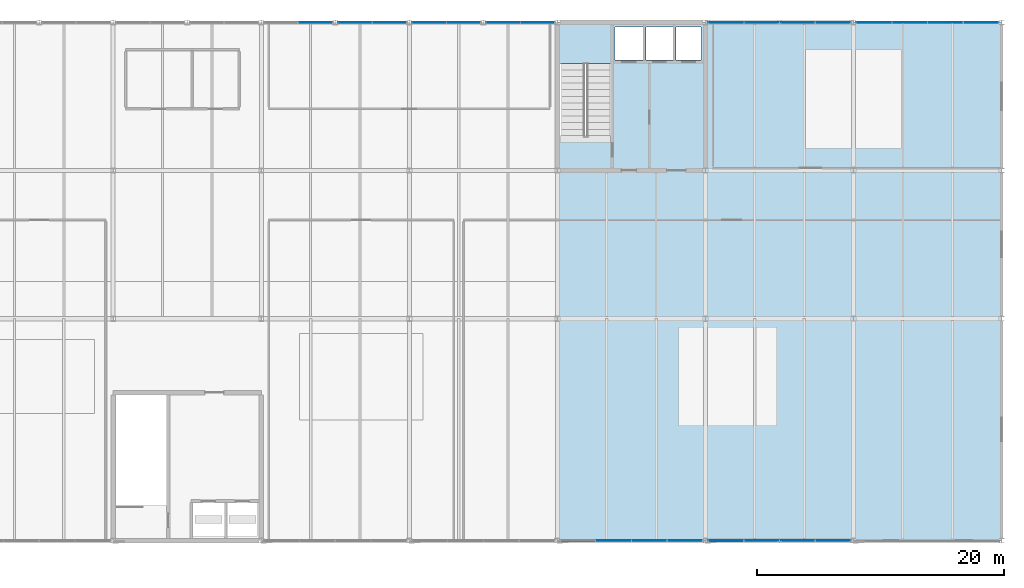
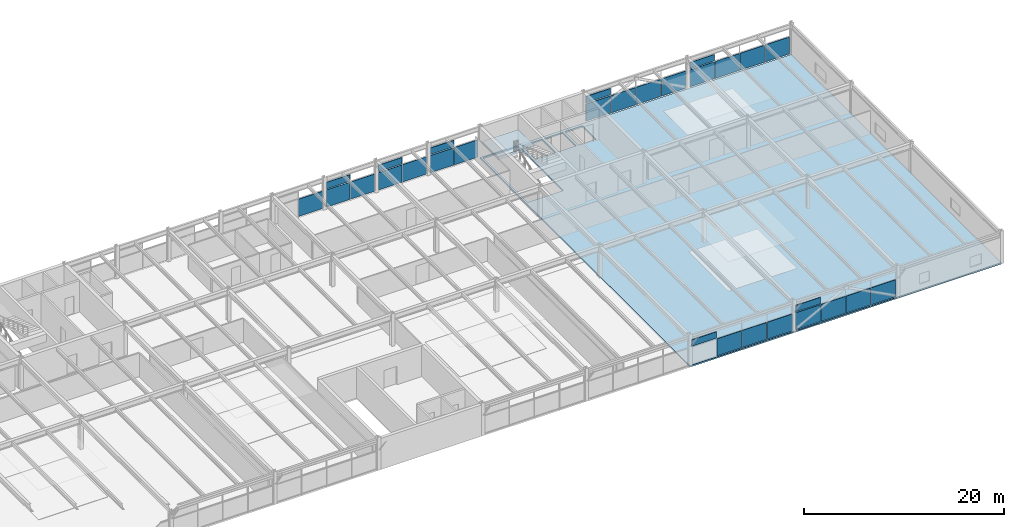
# One storey, part 44 of 52: 29 plates, 2 slabs, 9 elements without a shape of their own.
"""IFC4 building model written with IfcOpenShell, lengths in metres."""

from ifc_helpers import new_model, si_unit, direction, frame, origin, origin_2d, place, context, subcontext, project, spatial, polyline, rectangle, outline, extrude, material, layer, layer_set, type_object, element, aggregate, save


model = new_model("IFC4")

# Units and contexts
model_context = context("Model", 3, precision=1e-05, world=origin(), true_north=direction((0.0, 1.0)))
body_context = subcontext(model_context, "Body", "Model", "MODEL_VIEW")
ifc_project = project(units=[si_unit("LENGTHUNIT", "METRE"), si_unit("AREAUNIT", "SQUARE_METRE"), si_unit("VOLUMEUNIT", "CUBIC_METRE"), si_unit("PLANEANGLEUNIT", "RADIAN"), si_unit("MASSUNIT", "GRAM", prefix="KILO")], contexts=[model_context])

# Site, building, storey
site_placement = place(None, origin())
site = spatial("IfcSite", under=ifc_project, at=site_placement, CompositionType="ELEMENT")
building_placement = place(site_placement, origin())
building = spatial("IfcBuilding", under=site, at=building_placement, Name="Girod Span Mobility Hub", CompositionType="ELEMENT")
storey_placement = place(building_placement, frame((0.0, 0.0, 45.60009765625)))
storey = spatial("IfcBuildingStorey", under=building, at=storey_placement, Name="L11", CompositionType="ELEMENT", Elevation=45.60009765625)

# Curtain wall, plate
ifc_material_1 = material(Name="Thermally Broken Anodised Aluminium", Category="aluminium")
curtain_wall_type_1 = type_object("IfcCurtainWallType", Name="CW-561X330", PredefinedType="USERDEFINED", material=ifc_material_1)
curtain_wall_1_placement = place(storey_placement, origin())
curtain_wall_1 = element("IfcCurtainWall", 1, at=curtain_wall_1_placement, inside=storey, type_object=curtain_wall_type_1, Name="Unitised Curtain Wall CW-L11-N08E L11", ObjectType="UNITISED CURTAIN WALL", PredefinedType="USERDEFINED")
ifc_material_2 = material(Name="Double Low-E Insulated Glazing", Category="glass")
ifc_layer_1 = layer(ifc_material_2, 0.05810546875)
ifc_layer_set_1 = layer_set([ifc_layer_1], Name="Double Low-E Insulated Glazing")
plate_type_1 = type_object("IfcPlateType", Name="PLT-SPN-2734X843X58", PredefinedType="CURTAIN_PANEL", material=ifc_layer_set_1)
plate_1_placement = place(storey_placement, frame((91.596923828125, 69.0, 2.373046875), z_axis=(0.0, 0.0, 1.0), x_axis=(1.0, 0.0, 0.0)))
plate_1 = element("IfcPlate", 2, at=plate_1_placement, type_object=plate_type_1, Name="Spandrel Glazing Panel CW-L11-N08E-S1", PredefinedType="CURTAIN_PANEL", context=body_context, shape_type="SweptSolid", body=[
    extrude(rectangle(XDim=2.73974609375, YDim=0.05810546875, at=origin_2d()), origin(), (0.0, 0.0, 1.0), 0.802978515625),
])

curtain_wall_2_placement = place(storey_placement, origin())
curtain_wall_2 = element("IfcCurtainWall", 3, at=curtain_wall_2_placement, inside=storey, type_object=curtain_wall_type_1, Name="Unitised Curtain Wall CW-L11-N09W L11", ObjectType="UNITISED CURTAIN WALL", PredefinedType="USERDEFINED")
plate_2_placement = place(storey_placement, frame((97.599365234375, 69.0, 2.373046875), z_axis=(0.0, 0.0, 1.0), x_axis=(1.0, 0.0, 0.0)))
plate_2 = element("IfcPlate", 4, at=plate_2_placement, type_object=plate_type_1, Name="Spandrel Glazing Panel CW-L11-N09W-S1", PredefinedType="CURTAIN_PANEL", context=body_context, shape_type="SweptSolid", body=[
    extrude(rectangle(XDim=2.73974609375, YDim=0.05810546875, at=origin_2d()), origin(), (0.0, 0.0, 1.0), 0.802978515625),
])

curtain_wall_3_placement = place(storey_placement, origin())
curtain_wall_3 = element("IfcCurtainWall", 5, at=curtain_wall_3_placement, inside=storey, type_object=curtain_wall_type_1, Name="Unitised Curtain Wall CW-L11-N09E L11", ObjectType="UNITISED CURTAIN WALL", PredefinedType="USERDEFINED")
plate_3_placement = place(storey_placement, frame((103.596923828125, 69.0, 2.373046875), z_axis=(0.0, 0.0, 1.0), x_axis=(1.0, 0.0, 0.0)))
plate_3 = element("IfcPlate", 6, at=plate_3_placement, type_object=plate_type_1, Name="Spandrel Glazing Panel CW-L11-N09E-S1", PredefinedType="CURTAIN_PANEL", context=body_context, shape_type="SweptSolid", body=[
    extrude(rectangle(XDim=2.73974609375, YDim=0.05810546875, at=origin_2d()), origin(), (0.0, 0.0, 1.0), 0.802978515625),
])

ifc_material_3 = material(Name="Thermally Broken Anodised Aluminium", Category="aluminium")
curtain_wall_type_2 = type_object("IfcCurtainWallType", Name="CW-1161X330", PredefinedType="USERDEFINED", material=ifc_material_3)
curtain_wall_4_placement = place(storey_placement, origin())
curtain_wall_4 = element("IfcCurtainWall", 7, at=curtain_wall_4_placement, inside=storey, type_object=curtain_wall_type_2, Name="Unitised Curtain Wall CW-L11-N11 L11", ObjectType="UNITISED CURTAIN WALL", PredefinedType="USERDEFINED")
ifc_material_4 = material(Name="Double Low-E Insulated Glazing", Category="glass")
ifc_layer_2 = layer(ifc_material_4, 0.05810546875)
ifc_layer_set_2 = layer_set([ifc_layer_2], Name="Double Low-E Insulated Glazing")
plate_type_2 = type_object("IfcPlateType", Name="PLT-SPN-2832X843X58", PredefinedType="CURTAIN_PANEL", material=ifc_layer_set_2)
plate_4_placement = place(storey_placement, frame((121.6484375, 69.0, 2.373046875), z_axis=(0.0, 0.0, 1.0), x_axis=(1.0, 0.0, 0.0)))
plate_4 = element("IfcPlate", 8, at=plate_4_placement, type_object=plate_type_2, Name="Spandrel Glazing Panel CW-L11-N11-S1", PredefinedType="CURTAIN_PANEL", context=body_context, shape_type="SweptSolid", body=[
    extrude(rectangle(XDim=2.837890625, YDim=0.05810546875, at=origin_2d()), origin(), (0.0, 0.0, 1.0), 0.802978515625),
])

ifc_material_5 = material(Name="Thermally Broken Anodised Aluminium", Category="aluminium")
curtain_wall_type_3 = type_object("IfcCurtainWallType", Name="CW-1161X324", PredefinedType="USERDEFINED", material=ifc_material_5)
curtain_wall_5_placement = place(storey_placement, origin())
curtain_wall_5 = element("IfcCurtainWall", 9, at=curtain_wall_5_placement, inside=storey, type_object=curtain_wall_type_3, Name="Unitised Curtain Wall CW-L11-S10 L11", ObjectType="UNITISED CURTAIN WALL", PredefinedType="USERDEFINED")
ifc_material_6 = material(Name="Double Low-E Insulated Glazing", Category="glass")
ifc_layer_3 = layer(ifc_material_6, 0.05810546875)
ifc_layer_set_3 = layer_set([ifc_layer_3], Name="Double Low-E Insulated Glazing")
plate_type_3 = type_object("IfcPlateType", Name="PLT-SPN-2833X826X58", PredefinedType="CURTAIN_PANEL", material=ifc_layer_set_3)
plate_5_placement = place(storey_placement, frame((109.646240234375, 27.0, 2.329833984375), z_axis=(0.0, 0.0, 1.0), x_axis=(1.0, 0.0, 0.0)))
plate_5 = element("IfcPlate", 10, at=plate_5_placement, type_object=plate_type_3, Name="Spandrel Glazing Panel CW-L11-S10-S1", PredefinedType="CURTAIN_PANEL", context=body_context, shape_type="SweptSolid", body=[
    extrude(rectangle(XDim=2.83837890625, YDim=0.05810546875, at=origin_2d()), origin(), (0.0, 0.0, 1.0), 0.7861328125),
])

curtain_wall_6_placement = place(storey_placement, origin())
curtain_wall_6 = element("IfcCurtainWall", 11, at=curtain_wall_6_placement, inside=storey, type_object=curtain_wall_type_3, Name="Unitised Curtain Wall CW-L11-S11 L11", ObjectType="UNITISED CURTAIN WALL", PredefinedType="USERDEFINED")
plate_6_placement = place(storey_placement, frame((121.646240234375, 27.0, 2.329833984375), z_axis=(0.0, 0.0, 1.0), x_axis=(1.0, 0.0, 0.0)))
plate_6 = element("IfcPlate", 12, at=plate_6_placement, type_object=plate_type_3, Name="Spandrel Glazing Panel CW-L11-S11-S1", PredefinedType="CURTAIN_PANEL", context=body_context, shape_type="SweptSolid", body=[
    extrude(rectangle(XDim=2.83837890625, YDim=0.05810546875, at=origin_2d()), origin(), (0.0, 0.0, 1.0), 0.7861328125),
])

curtain_wall_7_placement = place(storey_placement, origin())
curtain_wall_7 = element("IfcCurtainWall", 13, at=curtain_wall_7_placement, inside=storey, type_object=curtain_wall_type_3, Name="Unitised Curtain Wall CW-L11-N12 L11", ObjectType="UNITISED CURTAIN WALL", PredefinedType="USERDEFINED")
plate_7_placement = place(storey_placement, frame((133.646240234375, 69.0, 2.329833984375), z_axis=(0.0, 0.0, 1.0), x_axis=(1.0, 0.0, 0.0)))
plate_7 = element("IfcPlate", 14, at=plate_7_placement, type_object=plate_type_3, Name="Spandrel Glazing Panel CW-L11-N12-S1", PredefinedType="CURTAIN_PANEL", context=body_context, shape_type="SweptSolid", body=[
    extrude(rectangle(XDim=2.83837890625, YDim=0.05810546875, at=origin_2d()), origin(), (0.0, 0.0, 1.0), 0.7861328125),
])

curtain_wall_8_placement = place(storey_placement, origin())
curtain_wall_8 = element("IfcCurtainWall", 15, at=curtain_wall_8_placement, inside=storey, type_object=curtain_wall_type_1, Name="Unitised Curtain Wall CW-L11-N08W L11", ObjectType="UNITISED CURTAIN WALL", PredefinedType="USERDEFINED")
ifc_material_7 = material(Name="Double Low-E Insulated Glazing", Category="glass")
ifc_layer_4 = layer(ifc_material_7, 0.0458984375)
ifc_layer_set_4 = layer_set([ifc_layer_4], Name="Double Low-E Insulated Glazing")
plate_type_4 = type_object("IfcPlateType", Name="PLT-VIS-2734X2373X46", PredefinedType="CURTAIN_PANEL", material=ifc_layer_set_4)
plate_8_placement = place(storey_placement, frame((88.403076171875, 69.0, 0.14013671875), z_axis=(0.0, 0.0, 1.0), x_axis=(1.0, 0.0, 0.0)))
plate_8 = element("IfcPlate", 16, at=plate_8_placement, type_object=plate_type_4, Name="Vision Glazing Panel CW-L11-N08W-V2", PredefinedType="CURTAIN_PANEL", context=body_context, shape_type="SweptSolid", body=[
    extrude(rectangle(XDim=2.73974609375, YDim=0.0458984375, at=origin_2d()), origin(), (0.0, 0.0, 1.0), 2.113037109375),
])
aggregate(curtain_wall_8, [plate_8])

# Plate
plate_9_placement = place(storey_placement, frame((91.596923828125, 69.0, 0.14013671875), z_axis=(0.0, 0.0, 1.0), x_axis=(1.0, 0.0, 0.0)))
plate_9 = element("IfcPlate", 17, at=plate_9_placement, type_object=plate_type_4, Name="Vision Glazing Panel CW-L11-N08E-V1", PredefinedType="CURTAIN_PANEL", context=body_context, shape_type="SweptSolid", body=[
    extrude(rectangle(XDim=2.73974609375, YDim=0.0458984375, at=origin_2d()), origin(), (0.0, 0.0, 1.0), 2.113037109375),
])

plate_10_placement = place(storey_placement, frame((94.400634765625, 69.0, 0.14013671875), z_axis=(0.0, 0.0, 1.0), x_axis=(1.0, 0.0, 0.0)))
plate_10 = element("IfcPlate", 18, at=plate_10_placement, type_object=plate_type_4, Name="Vision Glazing Panel CW-L11-N08E-V2", PredefinedType="CURTAIN_PANEL", context=body_context, shape_type="SweptSolid", body=[
    extrude(rectangle(XDim=2.73974609375, YDim=0.0458984375, at=origin_2d()), origin(), (0.0, 0.0, 1.0), 2.113037109375),
])

aggregate(curtain_wall_1, [plate_9, plate_1, plate_10])

plate_11_placement = place(storey_placement, frame((97.599365234375, 69.0, 0.14013671875), z_axis=(0.0, 0.0, 1.0), x_axis=(1.0, 0.0, 0.0)))
plate_11 = element("IfcPlate", 19, at=plate_11_placement, type_object=plate_type_4, Name="Vision Glazing Panel CW-L11-N09W-V1", PredefinedType="CURTAIN_PANEL", context=body_context, shape_type="SweptSolid", body=[
    extrude(rectangle(XDim=2.73974609375, YDim=0.0458984375, at=origin_2d()), origin(), (0.0, 0.0, 1.0), 2.113037109375),
])

plate_12_placement = place(storey_placement, frame((100.403076171875, 69.0, 0.14013671875), z_axis=(0.0, 0.0, 1.0), x_axis=(1.0, 0.0, 0.0)))
plate_12 = element("IfcPlate", 20, at=plate_12_placement, type_object=plate_type_4, Name="Vision Glazing Panel CW-L11-N09W-V2", PredefinedType="CURTAIN_PANEL", context=body_context, shape_type="SweptSolid", body=[
    extrude(rectangle(XDim=2.73974609375, YDim=0.0458984375, at=origin_2d()), origin(), (0.0, 0.0, 1.0), 2.113037109375),
])

aggregate(curtain_wall_2, [plate_11, plate_2, plate_12])

plate_13_placement = place(storey_placement, frame((103.596923828125, 69.0, 0.14013671875), z_axis=(0.0, 0.0, 1.0), x_axis=(1.0, 0.0, 0.0)))
plate_13 = element("IfcPlate", 21, at=plate_13_placement, type_object=plate_type_4, Name="Vision Glazing Panel CW-L11-N09E-V1", PredefinedType="CURTAIN_PANEL", context=body_context, shape_type="SweptSolid", body=[
    extrude(rectangle(XDim=2.73974609375, YDim=0.0458984375, at=origin_2d()), origin(), (0.0, 0.0, 1.0), 2.113037109375),
])

plate_14_placement = place(storey_placement, frame((106.400634765625, 69.0, 0.14013671875), z_axis=(0.0, 0.0, 1.0), x_axis=(1.0, 0.0, 0.0)))
plate_14 = element("IfcPlate", 22, at=plate_14_placement, type_object=plate_type_4, Name="Vision Glazing Panel CW-L11-N09E-V2", PredefinedType="CURTAIN_PANEL", context=body_context, shape_type="SweptSolid", body=[
    extrude(rectangle(XDim=2.73974609375, YDim=0.0458984375, at=origin_2d()), origin(), (0.0, 0.0, 1.0), 2.113037109375),
])

aggregate(curtain_wall_3, [plate_13, plate_3, plate_14])

ifc_material_8 = material(Name="Double Low-E Insulated Glazing", Category="glass")
ifc_layer_5 = layer(ifc_material_8, 0.0458984375)
ifc_layer_set_5 = layer_set([ifc_layer_5], Name="Double Low-E Insulated Glazing")
plate_type_5 = type_object("IfcPlateType", Name="PLT-VIS-2832X2373X46", PredefinedType="CURTAIN_PANEL", material=ifc_layer_set_5)
plate_15_placement = place(storey_placement, frame((121.6484375, 69.0, 0.14013671875), z_axis=(0.0, 0.0, 1.0), x_axis=(1.0, 0.0, 0.0)))
plate_15 = element("IfcPlate", 23, at=plate_15_placement, type_object=plate_type_5, Name="Vision Glazing Panel CW-L11-N11-V1", PredefinedType="CURTAIN_PANEL", context=body_context, shape_type="SweptSolid", body=[
    extrude(rectangle(XDim=2.837890625, YDim=0.0458984375, at=origin_2d()), origin(), (0.0, 0.0, 1.0), 2.113037109375),
])

plate_16_placement = place(storey_placement, frame((124.55029296875, 69.0, 0.14013671875), z_axis=(0.0, 0.0, 1.0), x_axis=(1.0, 0.0, 0.0)))
plate_16 = element("IfcPlate", 24, at=plate_16_placement, type_object=plate_type_5, Name="Vision Glazing Panel CW-L11-N11-V2", PredefinedType="CURTAIN_PANEL", context=body_context, shape_type="SweptSolid", body=[
    extrude(rectangle(XDim=2.837890625, YDim=0.0458984375, at=origin_2d()), origin(), (0.0, 0.0, 1.0), 2.113037109375),
])

plate_17_placement = place(storey_placement, frame((127.4521484375, 69.0, 0.14013671875), z_axis=(0.0, 0.0, 1.0), x_axis=(1.0, 0.0, 0.0)))
plate_17 = element("IfcPlate", 25, at=plate_17_placement, type_object=plate_type_5, Name="Vision Glazing Panel CW-L11-N11-V3", PredefinedType="CURTAIN_PANEL", context=body_context, shape_type="SweptSolid", body=[
    extrude(rectangle(XDim=2.837890625, YDim=0.0458984375, at=origin_2d()), origin(), (0.0, 0.0, 1.0), 2.113037109375),
])

plate_18_placement = place(storey_placement, frame((130.35400390625, 69.0, 0.14013671875), z_axis=(0.0, 0.0, 1.0), x_axis=(1.0, 0.0, 0.0)))
plate_18 = element("IfcPlate", 26, at=plate_18_placement, type_object=plate_type_5, Name="Vision Glazing Panel CW-L11-N11-V4", PredefinedType="CURTAIN_PANEL", context=body_context, shape_type="SweptSolid", body=[
    extrude(rectangle(XDim=2.837890625, YDim=0.0458984375, at=origin_2d()), origin(), (0.0, 0.0, 1.0), 2.113037109375),
])

aggregate(curtain_wall_4, [plate_15, plate_4, plate_16, plate_17, plate_18])

ifc_material_9 = material(Name="Double Low-E Insulated Glazing", Category="glass")
ifc_layer_6 = layer(ifc_material_9, 0.0458984375)
ifc_layer_set_6 = layer_set([ifc_layer_6], Name="Double Low-E Insulated Glazing")
plate_type_6 = type_object("IfcPlateType", Name="PLT-VIS-2833X2330X46", PredefinedType="CURTAIN_PANEL", material=ifc_layer_set_6)
plate_19_placement = place(storey_placement, frame((112.548828125, 27.0, 0.139892578125), z_axis=(0.0, 0.0, 1.0), x_axis=(1.0, 0.0, 0.0)))
plate_19 = element("IfcPlate", 27, at=plate_19_placement, type_object=plate_type_6, Name="Vision Glazing Panel CW-L11-S10-V2", PredefinedType="CURTAIN_PANEL", context=body_context, shape_type="SweptSolid", body=[
    extrude(rectangle(XDim=2.83837890625, YDim=0.0458984375, at=origin_2d()), origin(), (0.0, 0.0, 1.0), 2.06982421875),
])

plate_20_placement = place(storey_placement, frame((115.451171875, 27.0, 0.139892578125), z_axis=(0.0, 0.0, 1.0), x_axis=(1.0, 0.0, 0.0)))
plate_20 = element("IfcPlate", 28, at=plate_20_placement, type_object=plate_type_6, Name="Vision Glazing Panel CW-L11-S10-V3", PredefinedType="CURTAIN_PANEL", context=body_context, shape_type="SweptSolid", body=[
    extrude(rectangle(XDim=2.83837890625, YDim=0.0458984375, at=origin_2d()), origin(), (0.0, 0.0, 1.0), 2.06982421875),
])

plate_21_placement = place(storey_placement, frame((118.353759765625, 27.0, 0.139892578125), z_axis=(0.0, 0.0, 1.0), x_axis=(1.0, 0.0, 0.0)))
plate_21 = element("IfcPlate", 29, at=plate_21_placement, type_object=plate_type_6, Name="Vision Glazing Panel CW-L11-S10-V4", PredefinedType="CURTAIN_PANEL", context=body_context, shape_type="SweptSolid", body=[
    extrude(rectangle(XDim=2.83837890625, YDim=0.0458984375, at=origin_2d()), origin(), (0.0, 0.0, 1.0), 2.06982421875),
])

aggregate(curtain_wall_5, [plate_5, plate_19, plate_20, plate_21])

plate_22_placement = place(storey_placement, frame((121.646240234375, 27.0, 0.139892578125), z_axis=(0.0, 0.0, 1.0), x_axis=(1.0, 0.0, 0.0)))
plate_22 = element("IfcPlate", 30, at=plate_22_placement, type_object=plate_type_6, Name="Vision Glazing Panel CW-L11-S11-V1", PredefinedType="CURTAIN_PANEL", context=body_context, shape_type="SweptSolid", body=[
    extrude(rectangle(XDim=2.83837890625, YDim=0.0458984375, at=origin_2d()), origin(), (0.0, 0.0, 1.0), 2.06982421875),
])

plate_23_placement = place(storey_placement, frame((124.548828125, 27.0, 0.139892578125), z_axis=(0.0, 0.0, 1.0), x_axis=(1.0, 0.0, 0.0)))
plate_23 = element("IfcPlate", 31, at=plate_23_placement, type_object=plate_type_6, Name="Vision Glazing Panel CW-L11-S11-V2", PredefinedType="CURTAIN_PANEL", context=body_context, shape_type="SweptSolid", body=[
    extrude(rectangle(XDim=2.83837890625, YDim=0.0458984375, at=origin_2d()), origin(), (0.0, 0.0, 1.0), 2.06982421875),
])

plate_24_placement = place(storey_placement, frame((127.451171875, 27.0, 0.139892578125), z_axis=(0.0, 0.0, 1.0), x_axis=(1.0, 0.0, 0.0)))
plate_24 = element("IfcPlate", 32, at=plate_24_placement, type_object=plate_type_6, Name="Vision Glazing Panel CW-L11-S11-V3", PredefinedType="CURTAIN_PANEL", context=body_context, shape_type="SweptSolid", body=[
    extrude(rectangle(XDim=2.83837890625, YDim=0.0458984375, at=origin_2d()), origin(), (0.0, 0.0, 1.0), 2.06982421875),
])

plate_25_placement = place(storey_placement, frame((130.353759765625, 27.0, 0.139892578125), z_axis=(0.0, 0.0, 1.0), x_axis=(1.0, 0.0, 0.0)))
plate_25 = element("IfcPlate", 33, at=plate_25_placement, type_object=plate_type_6, Name="Vision Glazing Panel CW-L11-S11-V4", PredefinedType="CURTAIN_PANEL", context=body_context, shape_type="SweptSolid", body=[
    extrude(rectangle(XDim=2.83837890625, YDim=0.0458984375, at=origin_2d()), origin(), (0.0, 0.0, 1.0), 2.06982421875),
])

aggregate(curtain_wall_6, [plate_22, plate_6, plate_23, plate_24, plate_25])

plate_26_placement = place(storey_placement, frame((133.646240234375, 69.0, 0.139892578125), z_axis=(0.0, 0.0, 1.0), x_axis=(1.0, 0.0, 0.0)))
plate_26 = element("IfcPlate", 34, at=plate_26_placement, type_object=plate_type_6, Name="Vision Glazing Panel CW-L11-N12-V1", PredefinedType="CURTAIN_PANEL", context=body_context, shape_type="SweptSolid", body=[
    extrude(rectangle(XDim=2.83837890625, YDim=0.0458984375, at=origin_2d()), origin(), (0.0, 0.0, 1.0), 2.06982421875),
])

plate_27_placement = place(storey_placement, frame((136.548828125, 69.0, 0.139892578125), z_axis=(0.0, 0.0, 1.0), x_axis=(1.0, 0.0, 0.0)))
plate_27 = element("IfcPlate", 35, at=plate_27_placement, type_object=plate_type_6, Name="Vision Glazing Panel CW-L11-N12-V2", PredefinedType="CURTAIN_PANEL", context=body_context, shape_type="SweptSolid", body=[
    extrude(rectangle(XDim=2.83837890625, YDim=0.0458984375, at=origin_2d()), origin(), (0.0, 0.0, 1.0), 2.06982421875),
])

plate_28_placement = place(storey_placement, frame((139.451171875, 69.0, 0.139892578125), z_axis=(0.0, 0.0, 1.0), x_axis=(1.0, 0.0, 0.0)))
plate_28 = element("IfcPlate", 36, at=plate_28_placement, type_object=plate_type_6, Name="Vision Glazing Panel CW-L11-N12-V3", PredefinedType="CURTAIN_PANEL", context=body_context, shape_type="SweptSolid", body=[
    extrude(rectangle(XDim=2.83837890625, YDim=0.0458984375, at=origin_2d()), origin(), (0.0, 0.0, 1.0), 2.06982421875),
])

plate_29_placement = place(storey_placement, frame((142.353759765625, 69.0, 0.139892578125), z_axis=(0.0, 0.0, 1.0), x_axis=(1.0, 0.0, 0.0)))
plate_29 = element("IfcPlate", 37, at=plate_29_placement, type_object=plate_type_6, Name="Vision Glazing Panel CW-L11-N12-V4", PredefinedType="CURTAIN_PANEL", context=body_context, shape_type="SweptSolid", body=[
    extrude(rectangle(XDim=2.83837890625, YDim=0.0458984375, at=origin_2d()), origin(), (0.0, 0.0, 1.0), 2.06982421875),
])

aggregate(curtain_wall_7, [plate_26, plate_7, plate_27, plate_28, plate_29])

# Slab
ifc_material_10 = material(Name="Concrete C40/50", Category="concrete")
ifc_layer_7 = layer(ifc_material_10, 0.175048828125)
ifc_layer_set_7 = layer_set([ifc_layer_7], Name="Concrete C40/50")
slab_type_1 = type_object("IfcSlabType", Name="SL-FLR-175", PredefinedType="FLOOR", material=ifc_layer_set_7)
slab_1_placement = place(storey_placement, frame((0.0, 0.0, -0.175048828125)))
element("IfcSlab", 38, at=slab_1_placement, inside=storey, type_object=slab_type_1, Name="Floor Slab L11 Sector E", PredefinedType="FLOOR", context=body_context, shape_type="SweptSolid", body=[
    extrude(outline(polyline([(144.0, 69.0), (144.0, 27.0), (108.0, 27.0), (108.0, 69.0), (144.0, 69.0)]), holes=[polyline([(108.219970703125, 68.820068359375), (108.219970703125, 59.8349609375), (112.340087890625, 59.8349609375), (112.340087890625, 68.820068359375), (108.219970703125, 68.820068359375)]), polyline([(112.64990234375, 65.949951171875), (114.949951171875, 65.949951171875), (114.949951171875, 68.64990234375), (112.64990234375, 68.64990234375), (112.64990234375, 65.949951171875)]), polyline([(115.199951171875, 68.64990234375), (115.199951171875, 65.949951171875), (117.35009765625, 65.949951171875), (117.35009765625, 68.64990234375), (115.199951171875, 68.64990234375)]), polyline([(117.60009765625, 68.64990234375), (117.60009765625, 65.949951171875), (119.64990234375, 65.949951171875), (119.64990234375, 68.64990234375), (117.60009765625, 68.64990234375)])]), origin(), (0.0, 0.0, 1.0), 0.175048828125),
])

# Stair, slab
ifc_material_11 = material(Name="Concrete C40/50", Category="concrete")
stair_type = type_object("IfcStairType", Name="STR-4000-W1860", PredefinedType="HALF_TURN_STAIR", material=ifc_material_11)
stair_placement = place(storey_placement, origin())
stair = element("IfcStair", 39, at=stair_placement, inside=storey, type_object=stair_type, Name="Exit Stair ST-2 L11", PredefinedType="HALF_TURN_STAIR")
ifc_material_12 = material(Name="Concrete C40/50", Category="concrete")
ifc_layer_8 = layer(ifc_material_12, 0.35498046875)
ifc_layer_set_8 = layer_set([ifc_layer_8], Name="Concrete C40/50")
slab_type_2 = type_object("IfcSlabType", Name="SL-LND-355", PredefinedType="LANDING", material=ifc_layer_set_8)
slab_2_placement = place(storey_placement, frame((0.0, 0.0, 1.64501953125)))
slab_2 = element("IfcSlab", 40, at=slab_2_placement, type_object=slab_type_2, Name="Stair ST-2 Half-Landing L11", PredefinedType="LANDING", context=body_context, shape_type="SweptSolid", body=[
    extrude(outline(polyline([(112.3349609375, 65.68603515625), (112.3349609375, 68.8349609375), (108.1650390625, 68.8349609375), (108.1650390625, 65.68603515625), (112.3349609375, 65.68603515625)])), origin(), (0.0, 0.0, 1.0), 0.35498046875),
])
aggregate(stair, [slab_2])

save(model, "model.ifc")
